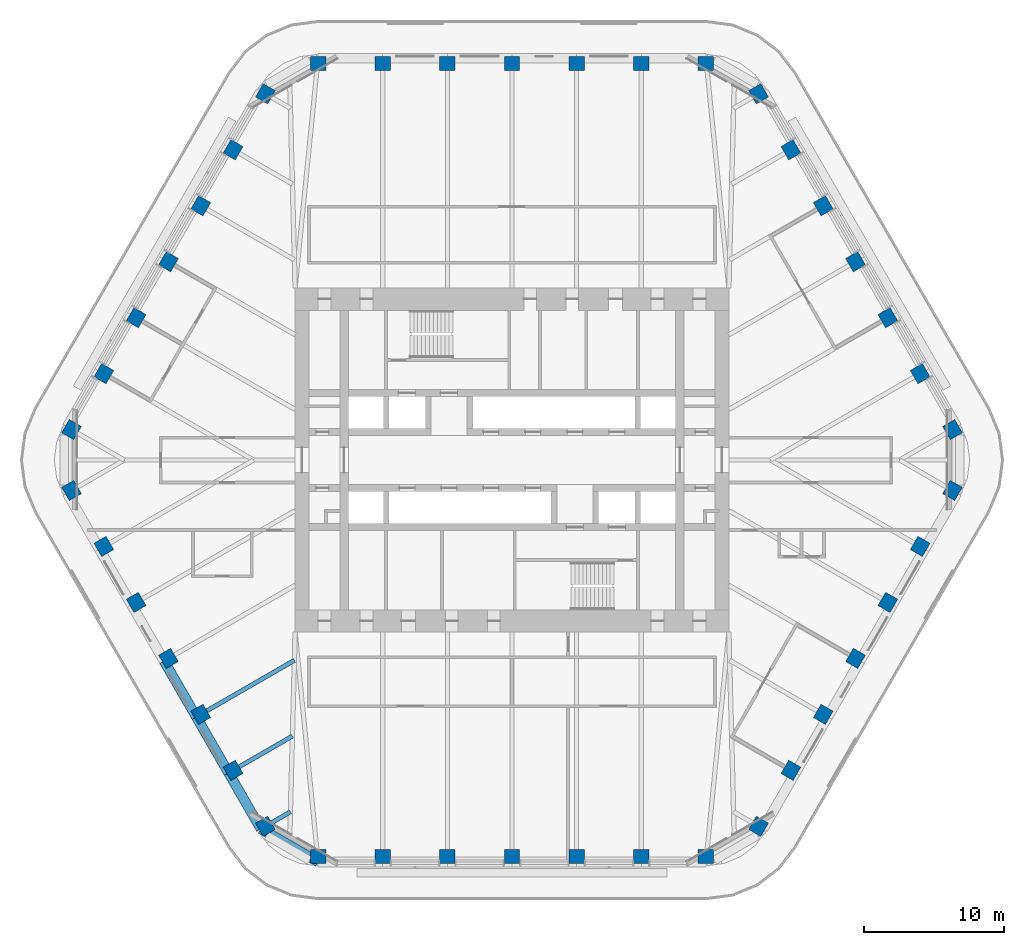
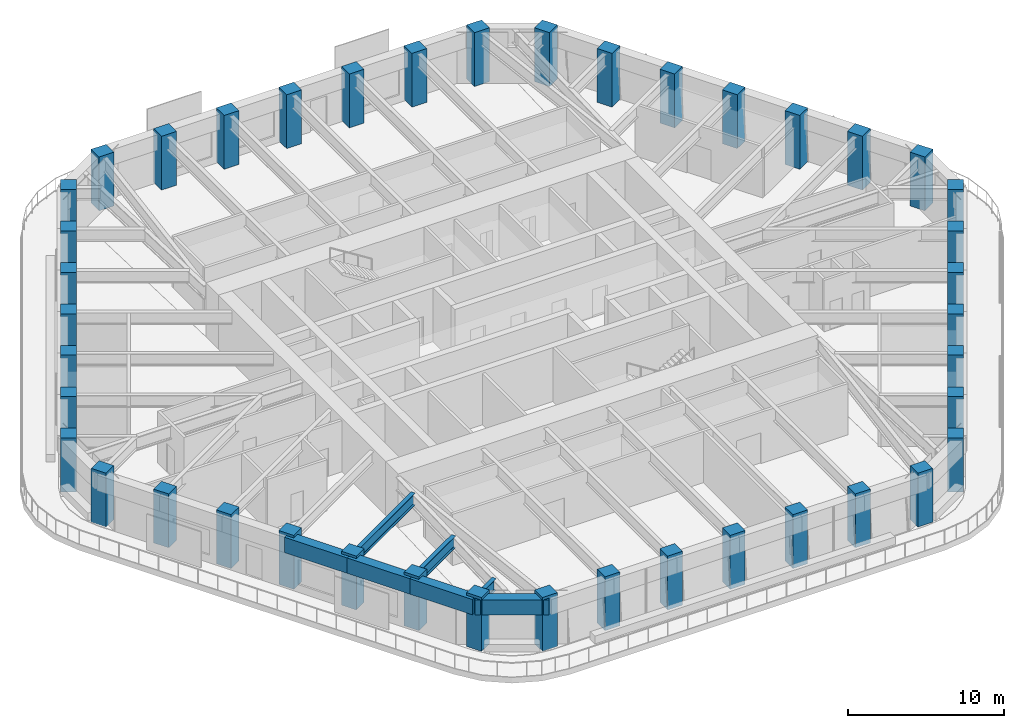
# One storey, part 1 of 20: 42 columns, 7 beams.
"""IFC4 building model written with IfcOpenShell, lengths in metres."""

from ifc_helpers import new_model, si_unit, direction, frame, origin, origin_2d, place, context, subcontext, project, spatial, rectangle, i_section, extrude, material, material_profile, profile_set, type_object, element, save


model = new_model("IFC4")

# Units and contexts
model_context = context("Model", 3, precision=1e-05, world=origin(), true_north=direction((0.0, 1.0)))
body_context = subcontext(model_context, "Body", "Model", "MODEL_VIEW")
ifc_project = project(units=[si_unit("LENGTHUNIT", "METRE"), si_unit("AREAUNIT", "SQUARE_METRE"), si_unit("VOLUMEUNIT", "CUBIC_METRE"), si_unit("PLANEANGLEUNIT", "RADIAN"), si_unit("MASSUNIT", "GRAM", prefix="KILO")], contexts=[model_context])

# Site, building, storey
site_placement = place(None, origin())
site = spatial("IfcSite", under=ifc_project, at=site_placement, CompositionType="ELEMENT")
building_placement = place(site_placement, origin())
building = spatial("IfcBuilding", under=site, at=building_placement, Name="Tarfa Lantern Tower", CompositionType="ELEMENT")
storey_placement = place(building_placement, frame((0.0, 0.0, 286.89990234375)))
storey = spatial("IfcBuildingStorey", under=building, at=storey_placement, Name="L65", CompositionType="ELEMENT", Elevation=286.89990234375)

# Columns
ifc_material_1 = material(Name="Concrete C80/95", Category="concrete")
ifc_material_profile_1 = material_profile(ifc_material_1, rectangle(XDim=1.10009765625, YDim=1.0, at=origin_2d()), Name="RC 1100x1000")
ifc_profile_set_1 = profile_set([ifc_material_profile_1], Name="Concrete C80/95")
column_type = type_object("IfcColumnType", Name="TC12 RC 1100x1000", PredefinedType="COLUMN", material=ifc_profile_set_1)
for number, where, z_axis, x_axis, name in (
    (1, (31.47998046875, 2.175048828125, 0.0), (0.0, 0.0, 1.0), (-0.5, 0.866025403784, 0.0), "Tube column NE0"),
    (2, (29.170654296875, 6.175048828125, 0.0), (0.0, 0.0, 1.0), (-0.5, 0.866025403784, 0.0), "Tube column NE1"),
    (3, (26.861328125, 10.175048828125, 0.0), (0.0, 0.0, 1.0), (-0.5, 0.866025403784, 0.0), "Tube column NE2"),
    (4, (24.5517578125, 14.175048828125, 0.0), (0.0, 0.0, 1.0), (-0.5, 0.866025403784, 0.0), "Tube column NE3"),
    (5, (22.242431640625, 18.175048828125, 0.0), (0.0, 0.0, 1.0), (-0.5, 0.866025403784, 0.0), "Tube column NE4"),
    (6, (19.93310546875, 22.175048828125, 0.0), (0.0, 0.0, 1.0), (-0.5, 0.866025403784, 0.0), "Tube column NE5"),
    (7, (17.62353515625, 26.175048828125, 0.0), (0.0, 0.0, 1.0), (-0.5, 0.866025403784, 0.0), "Tube column NE6"),
    (8, (13.8564453125, 28.35009765625, 0.0), (0.0, 0.0, 1.0), (-1.0, 0.0, 0.0), "Tube column N0"),
    (9, (9.237548828125, 28.35009765625, 0.0), (0.0, 0.0, 1.0), (-1.0, 0.0, 0.0), "Tube column N1"),
    (10, (4.618896484375, 28.35009765625, 0.0), (0.0, 0.0, 1.0), (-1.0, 0.0, 0.0), "Tube column N2"),
    (11, (0.0, 28.35009765625, 0.0), (0.0, 0.0, 1.0), (-1.0, 0.0, 0.0), "Tube column N3"),
    (12, (-4.618896484375, 28.35009765625, 0.0), (0.0, 0.0, 1.0), (-1.0, 0.0, 0.0), "Tube column N4"),
    (13, (-9.237548828125, 28.35009765625, 0.0), (0.0, 0.0, 1.0), (-1.0, 0.0, 0.0), "Tube column N5"),
    (14, (-13.8564453125, 28.35009765625, 0.0), (0.0, 0.0, 1.0), (-1.0, 0.0, 0.0), "Tube column N6"),
    (15, (-17.62353515625, 26.175048828125, 0.0), (0.0, 0.0, 1.0), (-0.5, -0.866025403784, 0.0), "Tube column NW0"),
    (16, (-19.93310546875, 22.175048828125, 0.0), (0.0, 0.0, 1.0), (-0.5, -0.866025403784, 0.0), "Tube column NW1"),
    (17, (-22.242431640625, 18.175048828125, 0.0), (0.0, 0.0, 1.0), (-0.5, -0.866025403784, 0.0), "Tube column NW2"),
    (18, (-24.5517578125, 14.175048828125, 0.0), (0.0, 0.0, 1.0), (-0.5, -0.866025403784, 0.0), "Tube column NW3"),
    (19, (-26.861328125, 10.175048828125, 0.0), (0.0, 0.0, 1.0), (-0.5, -0.866025403784, 0.0), "Tube column NW4"),
    (20, (-29.170654296875, 6.175048828125, 0.0), (0.0, 0.0, 1.0), (-0.5, -0.866025403784, 0.0), "Tube column NW5"),
    (21, (-31.47998046875, 2.175048828125, 0.0), (0.0, 0.0, 1.0), (-0.5, -0.866025403784, 0.0), "Tube column NW6"),
    (22, (-31.47998046875, -2.175048828125, 0.0), (0.0, 0.0, 1.0), (0.5, -0.866025403784, 0.0), "Tube column SW0"),
    (23, (-29.170654296875, -6.175048828125, 0.0), (0.0, 0.0, 1.0), (0.5, -0.866025403784, 0.0), "Tube column SW1"),
    (24, (-26.861328125, -10.175048828125, 0.0), (0.0, 0.0, 1.0), (0.5, -0.866025403784, 0.0), "Tube column SW2"),
    (25, (-24.5517578125, -14.175048828125, 0.0), (0.0, 0.0, 1.0), (0.5, -0.866025403784, 0.0), "Tube column SW3"),
    (26, (-22.242431640625, -18.175048828125, 0.0), (0.0, 0.0, 1.0), (0.5, -0.866025403784, 0.0), "Tube column SW4"),
    (27, (-19.93310546875, -22.175048828125, 0.0), (0.0, 0.0, 1.0), (0.5, -0.866025403784, 0.0), "Tube column SW5"),
    (28, (-17.62353515625, -26.175048828125, 0.0), (0.0, 0.0, 1.0), (0.5, -0.866025403784, 0.0), "Tube column SW6"),
    (29, (-13.8564453125, -28.35009765625, 0.0), (0.0, 0.0, 1.0), (1.0, 0.0, 0.0), "Tube column S0"),
    (30, (-9.237548828125, -28.35009765625, 0.0), (0.0, 0.0, 1.0), (1.0, 0.0, 0.0), "Tube column S1"),
    (31, (-4.618896484375, -28.35009765625, 0.0), (0.0, 0.0, 1.0), (1.0, 0.0, 0.0), "Tube column S2"),
    (32, (0.0, -28.35009765625, 0.0), (0.0, 0.0, 1.0), (1.0, 0.0, 0.0), "Tube column S3"),
    (33, (4.618896484375, -28.35009765625, 0.0), (0.0, 0.0, 1.0), (1.0, 0.0, 0.0), "Tube column S4"),
    (34, (9.237548828125, -28.35009765625, 0.0), (0.0, 0.0, 1.0), (1.0, 0.0, 0.0), "Tube column S5"),
    (35, (13.8564453125, -28.35009765625, 0.0), (0.0, 0.0, 1.0), (1.0, 0.0, 0.0), "Tube column S6"),
    (36, (17.62353515625, -26.175048828125, 0.0), (0.0, 0.0, 1.0), (0.5, 0.866025403784, 0.0), "Tube column SE0"),
    (37, (19.93310546875, -22.175048828125, 0.0), (0.0, 0.0, 1.0), (0.5, 0.866025403784, 0.0), "Tube column SE1"),
    (38, (22.242431640625, -18.175048828125, 0.0), (0.0, 0.0, 1.0), (0.5, 0.866025403784, 0.0), "Tube column SE2"),
    (39, (24.5517578125, -14.175048828125, 0.0), (0.0, 0.0, 1.0), (0.5, 0.866025403784, 0.0), "Tube column SE3"),
    (40, (26.861328125, -10.175048828125, 0.0), (0.0, 0.0, 1.0), (0.5, 0.866025403784, 0.0), "Tube column SE4"),
    (41, (29.170654296875, -6.175048828125, 0.0), (0.0, 0.0, 1.0), (0.5, 0.866025403784, 0.0), "Tube column SE5"),
    (42, (31.47998046875, -2.175048828125, 0.0), (0.0, 0.0, 1.0), (0.5, 0.866025403784, 0.0), "Tube column SE6"),
):
    element("IfcColumn", number, at=place(storey_placement, frame(where, z_axis=z_axis, x_axis=x_axis)), inside=storey, type_object=column_type, Name=name, PredefinedType="COLUMN", context=body_context, shape_type="SweptSolid", body=[
        extrude(rectangle(XDim=1.10009765625, YDim=1.0, at=origin_2d()), origin(), (0.0, 0.0, 1.0), 4.2001953125),
    ])

# Beams
ifc_material_profile_2 = material_profile(ifc_material_1, rectangle(XDim=0.699951171875, YDim=1.199951171875, at=origin_2d()), Name="RC 700x1200")
ifc_profile_set_2 = profile_set([ifc_material_profile_2], Name="Concrete C80/95")
beam_type_1 = type_object("IfcBeamType", Name="EB3 RC 700x1200", PredefinedType="SPANDREL", material=ifc_profile_set_2)
beam_1_placement = place(storey_placement, frame((-24.872314453125, -14.360107421875, 3.400146484375), z_axis=(0.500027479704, -0.866009537788, 0.0), x_axis=(0.866009537788, 0.500027479704, 0.0)))
element("IfcBeam", 43, at=beam_1_placement, inside=storey, type_object=beam_type_1, Name="Edge beam SW3", PredefinedType="SPANDREL", context=body_context, shape_type="SweptSolid", body=[
    extrude(rectangle(XDim=0.699951171875, YDim=1.199951171875, at=origin_2d()), origin(), (0.0, 0.0, 1.0), 4.618896484375),
])
for number, where, z_axis, x_axis, name in (
    (44, (-22.562744140625, -18.360107421875, 3.400146484375), (0.499987836815, -0.866032426089, 0.0), (0.866032426089, 0.499987836815, 0.0), "Edge beam SW4"),
    (45, (-20.25341796875, -22.360107421875, 3.400146484375), (0.499987836815, -0.866032426089, 0.0), (0.866032426089, 0.499987836815, 0.0), "Edge beam SW5"),
):
    element("IfcBeam", number, at=place(storey_placement, frame(where, z_axis=z_axis, x_axis=x_axis)), inside=storey, type_object=beam_type_1, Name=name, PredefinedType="SPANDREL", context=body_context, shape_type="SweptSolid", body=[
        extrude(rectangle(XDim=0.699951171875, YDim=1.199951171875, at=origin_2d()), origin(), (0.0, 0.0, 1.0), 4.61865234375),
    ])
beam_2_placement = place(storey_placement, frame((-17.944091796875, -26.360107421875, 3.400146484375), z_axis=(0.866038294681, -0.499977671647, 0.0), x_axis=(0.499977671647, 0.866038294681, 0.0)))
element("IfcBeam", 46, at=beam_2_placement, inside=storey, type_object=beam_type_1, Name="Edge beam SW6", PredefinedType="SPANDREL", context=body_context, shape_type="SweptSolid", body=[
    extrude(rectangle(XDim=0.699951171875, YDim=1.199951171875, at=origin_2d()), origin(), (0.0, 0.0, 1.0), 4.719970703125),
])
ifc_material_2 = material(Name="Steel S460M", Category="steel")
ifc_material_profile_3 = material_profile(ifc_material_2, i_section(OverallWidth=0.305419921875, OverallDepth=0.91845703125, WebThickness=0.017333984375, FlangeThickness=0.02783203125, FilletRadius=0.01904296875, at=origin_2d()), Name="UB914x305x253")
ifc_profile_set_3 = profile_set([ifc_material_profile_3], Name="Steel S460M")
beam_type_2 = type_object("IfcBeamType", Name="UB914x305x253", PredefinedType="BEAM", material=ifc_profile_set_3)
beam_3_placement = place(storey_placement, frame((-22.562744140625, -18.360107421875, 3.541015625), z_axis=(0.866010787764, 0.500025314835, 0.0), x_axis=(-0.500025314835, 0.866010787764, 0.0)))
element("IfcBeam", 47, at=beam_3_placement, inside=storey, type_object=beam_type_2, Name="Floor beam SW4", PredefinedType="BEAM", context=body_context, shape_type="SweptSolid", body=[
    extrude(i_section(OverallWidth=0.305419921875, OverallDepth=0.91845703125, WebThickness=0.017333984375, FlangeThickness=0.02783203125, FilletRadius=0.01904296875, at=origin_2d()), origin(), (0.0, 0.0, 1.0), 8.09423828125),
])
beam_4_placement = place(storey_placement, frame((-20.25341796875, -22.360107421875, 3.541015625), z_axis=(0.86601951648, 0.500010196972, 0.0), x_axis=(-0.500010196972, 0.86601951648, 0.0)))
element("IfcBeam", 48, at=beam_4_placement, inside=storey, type_object=beam_type_2, Name="Floor beam SW5", PredefinedType="BEAM", context=body_context, shape_type="SweptSolid", body=[
    extrude(i_section(OverallWidth=0.305419921875, OverallDepth=0.91845703125, WebThickness=0.017333984375, FlangeThickness=0.02783203125, FilletRadius=0.01904296875, at=origin_2d()), origin(), (0.0, 0.0, 1.0), 5.263671875),
])
beam_5_placement = place(storey_placement, frame((-17.944091796875, -26.360107421875, 3.541015625), z_axis=(0.865980009423, 0.5000786171, 0.0), x_axis=(-0.5000786171, 0.865980009423, 0.0)))
element("IfcBeam", 49, at=beam_5_placement, inside=storey, type_object=beam_type_2, Name="Floor beam SW6", PredefinedType="BEAM", context=body_context, shape_type="SweptSolid", body=[
    extrude(i_section(OverallWidth=0.305419921875, OverallDepth=0.91845703125, WebThickness=0.017333984375, FlangeThickness=0.02783203125, FilletRadius=0.01904296875, at=origin_2d()), origin(), (0.0, 0.0, 1.0), 2.4326171875),
])

save(model, "model.ifc")
